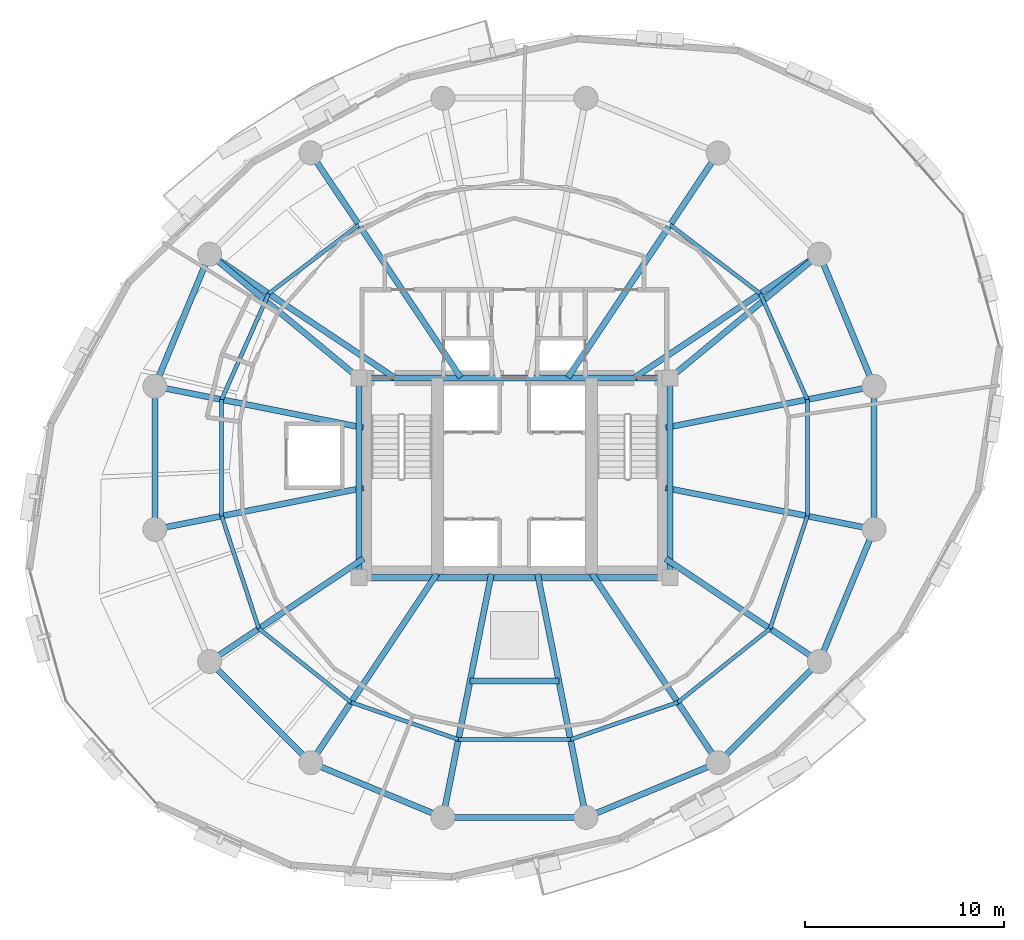
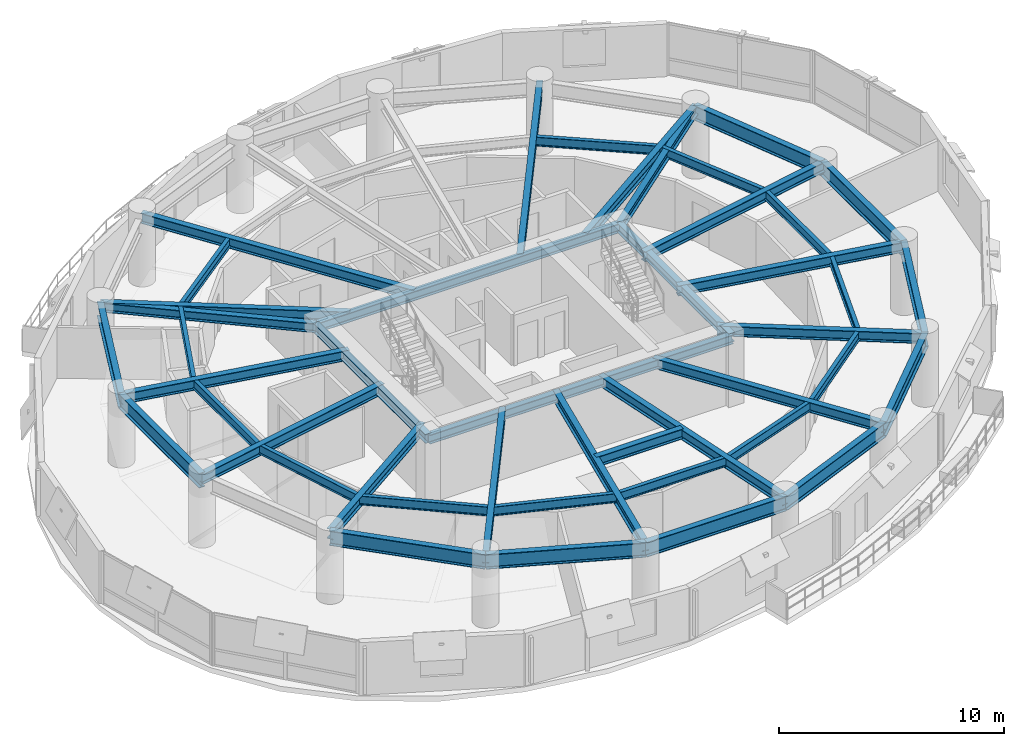
# One storey, part 3 of 12: 44 beams.
"""IFC4 building model written with IfcOpenShell, lengths in metres."""

from ifc_helpers import new_model, si_unit, direction, frame, origin, origin_2d, place, context, subcontext, project, spatial, i_section, extrude, material, material_profile, profile_set, type_object, element, save


model = new_model("IFC4")

# Units and contexts
model_context = context("Model", 3, precision=1e-05, world=origin(), true_north=direction((0.0, 1.0)))
body_context = subcontext(model_context, "Body", "Model", "MODEL_VIEW")
ifc_project = project(units=[si_unit("LENGTHUNIT", "METRE"), si_unit("AREAUNIT", "SQUARE_METRE"), si_unit("VOLUMEUNIT", "CUBIC_METRE"), si_unit("PLANEANGLEUNIT", "RADIAN"), si_unit("MASSUNIT", "GRAM", prefix="KILO"), si_unit("THERMODYNAMICTEMPERATUREUNIT", "KELVIN"), si_unit("POWERUNIT", "WATT")], contexts=[model_context])

# Site, building, storey
site_placement = place(None, origin())
site = spatial("IfcSite", under=ifc_project, at=site_placement, CompositionType="ELEMENT")
building_placement = place(site_placement, origin())
building = spatial("IfcBuilding", under=site, at=building_placement, Name="Ocrelia Relay Tower", CompositionType="ELEMENT")
storey_placement = place(building_placement, frame((0.0, 0.0, 153.800048828125)))
storey = spatial("IfcBuildingStorey", under=building, at=storey_placement, Name="L36", CompositionType="ELEMENT", Elevation=153.800048828125)

# Beams
ifc_material = material(Name="Steel S355", Category="steel")
ifc_material_profile_1 = material_profile(ifc_material, i_section(OverallWidth=0.300048828125, OverallDepth=0.5, WebThickness=0.014404296875, FlangeThickness=0.028076171875, FilletRadius=0.027099609375, at=origin_2d()), Name="HEB 500")
ifc_profile_set_1 = profile_set([ifc_material_profile_1], Name="Steel S355")
beam_type_1 = type_object("IfcBeamType", Name="BM-HEB500", PredefinedType="BEAM", material=ifc_profile_set_1)
for number, where, z_axis, x_axis, name in (
    (1, (26.199951171875, 20.0, 3.429931640625), (1.0, 0.0, 0.0), (0.0, 1.0, 0.0), "L36 Core Pilaster Tie Beam S"),
    (2, (26.199951171875, 30.0, 3.429931640625), (1.0, 0.0, 0.0), (0.0, 1.0, 0.0), "L36 Core Pilaster Tie Beam N"),
):
    element("IfcBeam", number, at=place(storey_placement, frame(where, z_axis=z_axis, x_axis=x_axis)), inside=storey, type_object=beam_type_1, Name=name, PredefinedType="BEAM", context=body_context, shape_type="SweptSolid", body=[
        extrude(i_section(OverallWidth=0.300048828125, OverallDepth=0.5, WebThickness=0.014404296875, FlangeThickness=0.028076171875, FilletRadius=0.027099609375, at=origin_2d()), origin(), (0.0, 0.0, 1.0), 15.60009765625),
    ])
for number, where, z_axis, x_axis, name in (
    (3, (26.199951171875, 20.0, 3.429931640625), (0.0, 1.0, 0.0), (-1.0, 0.0, 0.0), "L36 Core Pilaster Tie Beam W"),
    (4, (41.800048828125, 20.0, 3.429931640625), (0.0, 1.0, 0.0), (-1.0, 0.0, 0.0), "L36 Core Pilaster Tie Beam E"),
):
    element("IfcBeam", number, at=place(storey_placement, frame(where, z_axis=z_axis, x_axis=x_axis)), inside=storey, type_object=beam_type_1, Name=name, PredefinedType="BEAM", context=body_context, shape_type="SweptSolid", body=[
        extrude(i_section(OverallWidth=0.300048828125, OverallDepth=0.5, WebThickness=0.014404296875, FlangeThickness=0.028076171875, FilletRadius=0.027099609375, at=origin_2d()), origin(), (0.0, 0.0, 1.0), 10.0),
    ])
for number, where, z_axis, x_axis, name in (
    (5, (49.299072265625, 36.222412109375, 3.429931640625), (-0.769570862751, -0.638561420072, 0.0), (0.638561420072, -0.769570862751, 0.0), "L36 Core Pilaster Frame Tie Beam PT02"),
    (6, (18.700927734375, 36.222412109375, 3.429931640625), (0.769570862751, -0.638561420072, 0.0), (0.638561420072, 0.769570862751, 0.0), "L36 Core Pilaster Frame Tie Beam PT07"),
):
    element("IfcBeam", number, at=place(storey_placement, frame(where, z_axis=z_axis, x_axis=x_axis)), inside=storey, type_object=beam_type_1, Name=name, PredefinedType="BEAM", context=body_context, shape_type="SweptSolid", body=[
        extrude(i_section(OverallWidth=0.300048828125, OverallDepth=0.5, WebThickness=0.014404296875, FlangeThickness=0.028076171875, FilletRadius=0.027099609375, at=origin_2d()), origin(), (0.0, 0.0, 1.0), 9.744384765625),
    ])
ifc_material_profile_2 = material_profile(ifc_material, i_section(OverallWidth=0.300048828125, OverallDepth=0.550048828125, WebThickness=0.014892578125, FlangeThickness=0.029052734375, FilletRadius=0.027099609375, at=origin_2d()), Name="HEB 550")
ifc_profile_set_2 = profile_set([ifc_material_profile_2], Name="Steel S355")
beam_type_2 = type_object("IfcBeamType", Name="BM-HEB550", PredefinedType="BEAM", material=ifc_profile_set_2)
beam_1_placement = place(storey_placement, frame((52.04638671875, 29.589599609375, 3.405029296875), z_axis=(-0.980786914024, -0.195082109071, 0.0), x_axis=(0.195082109071, -0.980786914024, 0.0)))
element("IfcBeam", 7, at=beam_1_placement, inside=storey, type_object=beam_type_2, Name="L36 Radial Floor Girder R01", PredefinedType="BEAM", context=body_context, shape_type="SweptSolid", body=[
    extrude(i_section(OverallWidth=0.300048828125, OverallDepth=0.550048828125, WebThickness=0.014892578125, FlangeThickness=0.029052734375, FilletRadius=0.027099609375, at=origin_2d()), origin(), (0.0, 0.0, 1.0), 10.67138671875),
])
beam_2_placement = place(storey_placement, frame((49.299072265625, 36.222412109375, 3.405029296875), z_axis=(-0.83147699108, -0.555559189741, 0.0), x_axis=(0.555559189741, -0.83147699108, 0.0)))
element("IfcBeam", 8, at=beam_2_placement, inside=storey, type_object=beam_type_2, Name="L36 Radial Floor Girder R02", PredefinedType="BEAM", context=body_context, shape_type="SweptSolid", body=[
    extrude(i_section(OverallWidth=0.300048828125, OverallDepth=0.550048828125, WebThickness=0.014892578125, FlangeThickness=0.029052734375, FilletRadius=0.027099609375, at=origin_2d()), origin(), (0.0, 0.0, 1.0), 11.146240234375),
])
for number, where, z_axis, x_axis, name in (
    (9, (44.222412109375, 41.299072265625, 3.405029296875), (-0.555560399988, -0.83147618244, 0.0), (0.83147618244, -0.555560399988, 0.0), "L36 Radial Floor Girder R03"),
    (10, (23.777587890625, 41.299072265625, 3.405029296875), (0.555560399988, -0.83147618244, 0.0), (0.83147618244, 0.555560399988, 0.0), "L36 Radial Floor Girder R06"),
):
    element("IfcBeam", number, at=place(storey_placement, frame(where, z_axis=z_axis, x_axis=x_axis)), inside=storey, type_object=beam_type_2, Name=name, PredefinedType="BEAM", context=body_context, shape_type="SweptSolid", body=[
        extrude(i_section(OverallWidth=0.300048828125, OverallDepth=0.550048828125, WebThickness=0.014892578125, FlangeThickness=0.029052734375, FilletRadius=0.027099609375, at=origin_2d()), origin(), (0.0, 0.0, 1.0), 13.552978515625),
    ])
beam_3_placement = place(storey_placement, frame((18.700927734375, 36.222412109375, 3.405029296875), z_axis=(0.83147699108, -0.555559189741, 0.0), x_axis=(0.555559189741, 0.83147699108, 0.0)))
element("IfcBeam", 11, at=beam_3_placement, inside=storey, type_object=beam_type_2, Name="L36 Radial Floor Girder R07", PredefinedType="BEAM", context=body_context, shape_type="SweptSolid", body=[
    extrude(i_section(OverallWidth=0.300048828125, OverallDepth=0.550048828125, WebThickness=0.014892578125, FlangeThickness=0.029052734375, FilletRadius=0.027099609375, at=origin_2d()), origin(), (0.0, 0.0, 1.0), 11.146240234375),
])
for number, where, z_axis, x_axis, name in (
    (12, (15.95361328125, 29.589599609375, 3.405029296875), (0.980787592082, -0.195078700063, 0.0), (0.195078700063, 0.980787592082, 0.0), "L36 Radial Floor Girder R08"),
    (13, (15.95361328125, 22.410400390625, 3.405029296875), (0.980787592082, 0.195078700063, 0.0), (-0.195078700063, 0.980787592082, 0.0), "L36 Radial Floor Girder R09"),
):
    element("IfcBeam", number, at=place(storey_placement, frame(where, z_axis=z_axis, x_axis=x_axis)), inside=storey, type_object=beam_type_2, Name=name, PredefinedType="BEAM", context=body_context, shape_type="SweptSolid", body=[
        extrude(i_section(OverallWidth=0.300048828125, OverallDepth=0.550048828125, WebThickness=0.014892578125, FlangeThickness=0.029052734375, FilletRadius=0.027099609375, at=origin_2d()), origin(), (0.0, 0.0, 1.0), 10.681640625),
    ])
beam_4_placement = place(storey_placement, frame((18.700927734375, 15.777587890625, 3.405029296875), z_axis=(0.831472030531, 0.555566613868, 0.0), x_axis=(-0.555566613868, 0.831472030531, 0.0)))
element("IfcBeam", 14, at=beam_4_placement, inside=storey, type_object=beam_type_2, Name="L36 Radial Floor Girder R10", PredefinedType="BEAM", context=body_context, shape_type="SweptSolid", body=[
    extrude(i_section(OverallWidth=0.300048828125, OverallDepth=0.550048828125, WebThickness=0.014892578125, FlangeThickness=0.029052734375, FilletRadius=0.027099609375, at=origin_2d()), origin(), (0.0, 0.0, 1.0), 9.295654296875),
])
beam_5_placement = place(storey_placement, frame((23.777587890625, 10.700927734375, 3.405029296875), z_axis=(0.555565661158, 0.831472667105, 0.0), x_axis=(-0.831472667105, 0.555565661158, 0.0)))
element("IfcBeam", 15, at=beam_5_placement, inside=storey, type_object=beam_type_2, Name="L36 Radial Floor Girder R11", PredefinedType="BEAM", context=body_context, shape_type="SweptSolid", body=[
    extrude(i_section(OverallWidth=0.300048828125, OverallDepth=0.550048828125, WebThickness=0.014892578125, FlangeThickness=0.029052734375, FilletRadius=0.027099609375, at=origin_2d()), origin(), (0.0, 0.0, 1.0), 11.38818359375),
])
for number, where, z_axis, x_axis, name in (
    (16, (30.410400390625, 7.95361328125, 3.405029296875), (0.195086983979, 0.980785944374, 0.0), (-0.980785944374, 0.195086983979, 0.0), "L36 Radial Floor Girder R12"),
    (17, (37.589599609375, 7.95361328125, 3.405029296875), (-0.195086983979, 0.980785944374, 0.0), (-0.980785944374, -0.195086983979, 0.0), "L36 Radial Floor Girder R13"),
):
    element("IfcBeam", number, at=place(storey_placement, frame(where, z_axis=z_axis, x_axis=x_axis)), inside=storey, type_object=beam_type_2, Name=name, PredefinedType="BEAM", context=body_context, shape_type="SweptSolid", body=[
        extrude(i_section(OverallWidth=0.300048828125, OverallDepth=0.550048828125, WebThickness=0.014892578125, FlangeThickness=0.029052734375, FilletRadius=0.027099609375, at=origin_2d()), origin(), (0.0, 0.0, 1.0), 12.45556640625),
    ])
beam_6_placement = place(storey_placement, frame((44.222412109375, 10.700927734375, 3.405029296875), z_axis=(-0.555565661158, 0.831472667105, 0.0), x_axis=(-0.831472667105, -0.555565661158, 0.0)))
element("IfcBeam", 18, at=beam_6_placement, inside=storey, type_object=beam_type_2, Name="L36 Radial Floor Girder R14", PredefinedType="BEAM", context=body_context, shape_type="SweptSolid", body=[
    extrude(i_section(OverallWidth=0.300048828125, OverallDepth=0.550048828125, WebThickness=0.014892578125, FlangeThickness=0.029052734375, FilletRadius=0.027099609375, at=origin_2d()), origin(), (0.0, 0.0, 1.0), 11.38818359375),
])
beam_7_placement = place(storey_placement, frame((49.299072265625, 15.777587890625, 3.405029296875), z_axis=(-0.8314672312, 0.555573796575, 0.0), x_axis=(-0.555573796575, -0.8314672312, 0.0)))
element("IfcBeam", 19, at=beam_7_placement, inside=storey, type_object=beam_type_2, Name="L36 Radial Floor Girder R15", PredefinedType="BEAM", context=body_context, shape_type="SweptSolid", body=[
    extrude(i_section(OverallWidth=0.300048828125, OverallDepth=0.550048828125, WebThickness=0.014892578125, FlangeThickness=0.029052734375, FilletRadius=0.027099609375, at=origin_2d()), origin(), (0.0, 0.0, 1.0), 9.28369140625),
])
beam_8_placement = place(storey_placement, frame((52.04638671875, 22.410400390625, 3.405029296875), z_axis=(-0.980786914024, 0.195082109071, 0.0), x_axis=(-0.195082109071, -0.980786914024, 0.0)))
element("IfcBeam", 20, at=beam_8_placement, inside=storey, type_object=beam_type_2, Name="L36 Radial Floor Girder R16", PredefinedType="BEAM", context=body_context, shape_type="SweptSolid", body=[
    extrude(i_section(OverallWidth=0.300048828125, OverallDepth=0.550048828125, WebThickness=0.014892578125, FlangeThickness=0.029052734375, FilletRadius=0.027099609375, at=origin_2d()), origin(), (0.0, 0.0, 1.0), 10.67138671875),
])
beam_9_placement = place(storey_placement, frame((31.772216796875, 14.800048828125, 3.405029296875), z_axis=(1.0, 0.0, 0.0), x_axis=(0.0, 1.0, 0.0)))
element("IfcBeam", 21, at=beam_9_placement, inside=storey, type_object=beam_type_2, Name="L36 Atrium South Trimmer Beam", PredefinedType="BEAM", context=body_context, shape_type="SweptSolid", body=[
    extrude(i_section(OverallWidth=0.300048828125, OverallDepth=0.550048828125, WebThickness=0.014892578125, FlangeThickness=0.029052734375, FilletRadius=0.027099609375, at=origin_2d()), origin(), (0.0, 0.0, 1.0), 4.45556640625),
])
ifc_material_profile_3 = material_profile(ifc_material, i_section(OverallWidth=0.300048828125, OverallDepth=0.800048828125, WebThickness=0.017578125, FlangeThickness=0.032958984375, FilletRadius=0.030029296875, at=origin_2d()), Name="HEB 800")
ifc_profile_set_3 = profile_set([ifc_material_profile_3], Name="Steel S355")
beam_type_3 = type_object("IfcBeamType", Name="BM-HEB800", PredefinedType="BEAM", material=ifc_profile_set_3)
for number, where, z_axis, x_axis, name in (
    (22, (52.04638671875, 29.589599609375, 3.280029296875), (-0.382673155247, 0.923883789366, 0.0), (-0.923883789366, -0.382673155247, 0.0), "L36 Perimeter Spandrel Beam S01"),
    (23, (18.700927734375, 36.222412109375, 3.280029296875), (-0.382673155247, -0.923883789366, 0.0), (0.923883789366, -0.382673155247, 0.0), "L36 Perimeter Spandrel Beam S07"),
    (24, (15.95361328125, 29.589599609375, 3.280029296875), (0.0, -1.0, 0.0), (1.0, 0.0, 0.0), "L36 Perimeter Spandrel Beam S08"),
):
    element("IfcBeam", number, at=place(storey_placement, frame(where, z_axis=z_axis, x_axis=x_axis)), inside=storey, type_object=beam_type_3, Name=name, PredefinedType="BEAM", context=body_context, shape_type="SweptSolid", body=[
        extrude(i_section(OverallWidth=0.300048828125, OverallDepth=0.800048828125, WebThickness=0.017578125, FlangeThickness=0.032958984375, FilletRadius=0.030029296875, at=origin_2d()), origin(), (0.0, 0.0, 1.0), 7.17919921875),
    ])
beam_10_placement = place(storey_placement, frame((18.700927734375, 15.777587890625, 3.280029296875), z_axis=(0.707106781187, -0.707106781187, 0.0), x_axis=(0.707106781187, 0.707106781187, 0.0)))
element("IfcBeam", 25, at=beam_10_placement, inside=storey, type_object=beam_type_3, Name="L36 Perimeter Spandrel Beam S10", PredefinedType="BEAM", context=body_context, shape_type="SweptSolid", body=[
    extrude(i_section(OverallWidth=0.300048828125, OverallDepth=0.800048828125, WebThickness=0.017578125, FlangeThickness=0.032958984375, FilletRadius=0.030029296875, at=origin_2d()), origin(), (0.0, 0.0, 1.0), 7.179443359375),
])
for number, where, z_axis, x_axis, name in (
    (26, (23.777587890625, 10.700927734375, 3.280029296875), (0.923883789366, -0.382673155247, 0.0), (0.382673155247, 0.923883789366, 0.0), "L36 Perimeter Spandrel Beam S11"),
    (27, (30.410400390625, 7.95361328125, 3.280029296875), (1.0, 0.0, 0.0), (0.0, 1.0, 0.0), "L36 Perimeter Spandrel Beam S12"),
    (28, (37.589599609375, 7.95361328125, 3.280029296875), (0.923883789366, 0.382673155247, 0.0), (-0.382673155247, 0.923883789366, 0.0), "L36 Perimeter Spandrel Beam S13"),
):
    element("IfcBeam", number, at=place(storey_placement, frame(where, z_axis=z_axis, x_axis=x_axis)), inside=storey, type_object=beam_type_3, Name=name, PredefinedType="BEAM", context=body_context, shape_type="SweptSolid", body=[
        extrude(i_section(OverallWidth=0.300048828125, OverallDepth=0.800048828125, WebThickness=0.017578125, FlangeThickness=0.032958984375, FilletRadius=0.030029296875, at=origin_2d()), origin(), (0.0, 0.0, 1.0), 7.17919921875),
    ])
beam_11_placement = place(storey_placement, frame((44.222412109375, 10.700927734375, 3.280029296875), z_axis=(0.707106781187, 0.707106781187, 0.0), x_axis=(-0.707106781187, 0.707106781187, 0.0)))
element("IfcBeam", 29, at=beam_11_placement, inside=storey, type_object=beam_type_3, Name="L36 Perimeter Spandrel Beam S14", PredefinedType="BEAM", context=body_context, shape_type="SweptSolid", body=[
    extrude(i_section(OverallWidth=0.300048828125, OverallDepth=0.800048828125, WebThickness=0.017578125, FlangeThickness=0.032958984375, FilletRadius=0.030029296875, at=origin_2d()), origin(), (0.0, 0.0, 1.0), 7.179443359375),
])
for number, where, z_axis, x_axis, name in (
    (30, (49.299072265625, 15.777587890625, 3.280029296875), (0.382673155247, 0.923883789366, 0.0), (-0.923883789366, 0.382673155247, 0.0), "L36 Perimeter Spandrel Beam S15"),
    (31, (52.04638671875, 22.410400390625, 3.280029296875), (0.0, 1.0, 0.0), (-1.0, 0.0, 0.0), "L36 Perimeter Spandrel Beam S16"),
):
    element("IfcBeam", number, at=place(storey_placement, frame(where, z_axis=z_axis, x_axis=x_axis)), inside=storey, type_object=beam_type_3, Name=name, PredefinedType="BEAM", context=body_context, shape_type="SweptSolid", body=[
        extrude(i_section(OverallWidth=0.300048828125, OverallDepth=0.800048828125, WebThickness=0.017578125, FlangeThickness=0.032958984375, FilletRadius=0.030029296875, at=origin_2d()), origin(), (0.0, 0.0, 1.0), 7.17919921875),
    ])
ifc_material_profile_4 = material_profile(ifc_material, i_section(OverallWidth=0.199951171875, OverallDepth=0.5, WebThickness=0.01025390625, FlangeThickness=0.01611328125, FilletRadius=0.02099609375, at=origin_2d()), Name="IPE 500")
ifc_profile_set_4 = profile_set([ifc_material_profile_4], Name="Steel S355")
beam_type_4 = type_object("IfcBeamType", Name="BM-IPE500", PredefinedType="JOIST", material=ifc_profile_set_4)
beam_12_placement = place(storey_placement, frame((48.697265625, 28.923583984375, 3.429931640625), z_axis=(-0.406243565397, 0.913764830563, 0.0), x_axis=(-0.913764830563, -0.406243565397, 0.0)))
element("IfcBeam", 32, at=beam_12_placement, inside=storey, type_object=beam_type_4, Name="L36 Secondary Floor Joist J01", PredefinedType="JOIST", context=body_context, shape_type="SweptSolid", body=[
    extrude(i_section(OverallWidth=0.199951171875, OverallDepth=0.5, WebThickness=0.01025390625, FlangeThickness=0.01611328125, FilletRadius=0.02099609375, at=origin_2d()), origin(), (0.0, 0.0, 1.0), 5.819091796875),
])
for number, where, z_axis, x_axis, name in (
    (33, (46.333251953125, 34.240966796875, 3.429931640625), (-0.794762167004, 0.60692099807, 0.0), (-0.60692099807, -0.794762167004, 0.0), "L36 Secondary Floor Joist J02"),
    (34, (26.18701171875, 37.69287109375, 3.429931640625), (-0.794762167004, -0.60692099807, 0.0), (0.60692099807, -0.794762167004, 0.0), "L36 Secondary Floor Joist J06"),
):
    element("IfcBeam", number, at=place(storey_placement, frame(where, z_axis=z_axis, x_axis=x_axis)), inside=storey, type_object=beam_type_4, Name=name, PredefinedType="JOIST", context=body_context, shape_type="SweptSolid", body=[
        extrude(i_section(OverallWidth=0.199951171875, OverallDepth=0.5, WebThickness=0.01025390625, FlangeThickness=0.01611328125, FilletRadius=0.02099609375, at=origin_2d()), origin(), (0.0, 0.0, 1.0), 5.6875),
    ])
beam_13_placement = place(storey_placement, frame((21.666748046875, 34.240966796875, 3.429931640625), z_axis=(-0.405741333342, -0.913987948727, 0.0), x_axis=(0.913987948727, -0.405741333342, 0.0)))
element("IfcBeam", 35, at=beam_13_placement, inside=storey, type_object=beam_type_4, Name="L36 Secondary Floor Joist J07", PredefinedType="JOIST", context=body_context, shape_type="SweptSolid", body=[
    extrude(i_section(OverallWidth=0.199951171875, OverallDepth=0.5, WebThickness=0.01025390625, FlangeThickness=0.01611328125, FilletRadius=0.02099609375, at=origin_2d()), origin(), (0.0, 0.0, 1.0), 5.818603515625),
])
beam_14_placement = place(storey_placement, frame((19.305908203125, 28.9228515625, 3.429931640625), z_axis=(0.0, -1.0, 0.0), x_axis=(1.0, 0.0, 0.0)))
element("IfcBeam", 36, at=beam_14_placement, inside=storey, type_object=beam_type_4, Name="L36 Secondary Floor Joist J08", PredefinedType="JOIST", context=body_context, shape_type="SweptSolid", body=[
    extrude(i_section(OverallWidth=0.199951171875, OverallDepth=0.5, WebThickness=0.01025390625, FlangeThickness=0.01611328125, FilletRadius=0.02099609375, at=origin_2d()), origin(), (0.0, 0.0, 1.0), 5.845703125),
])
beam_15_placement = place(storey_placement, frame((19.305908203125, 23.0771484375, 3.429931640625), z_axis=(0.314121352003, -0.949382839647, 0.0), x_axis=(0.949382839647, 0.314121352003, 0.0)))
element("IfcBeam", 37, at=beam_15_placement, inside=storey, type_object=beam_type_4, Name="L36 Secondary Floor Joist J09", PredefinedType="JOIST", context=body_context, shape_type="SweptSolid", body=[
    extrude(i_section(OverallWidth=0.199951171875, OverallDepth=0.5, WebThickness=0.01025390625, FlangeThickness=0.01611328125, FilletRadius=0.02099609375, at=origin_2d()), origin(), (0.0, 0.0, 1.0), 5.947998046875),
])
beam_16_placement = place(storey_placement, frame((21.17431640625, 17.43017578125, 3.429931640625), z_axis=(0.781130070991, -0.62436833055, 0.0), x_axis=(0.62436833055, 0.781130070991, 0.0)))
element("IfcBeam", 38, at=beam_16_placement, inside=storey, type_object=beam_type_4, Name="L36 Secondary Floor Joist J10", PredefinedType="JOIST", context=body_context, shape_type="SweptSolid", body=[
    extrude(i_section(OverallWidth=0.199951171875, OverallDepth=0.5, WebThickness=0.01025390625, FlangeThickness=0.01611328125, FilletRadius=0.02099609375, at=origin_2d()), origin(), (0.0, 0.0, 1.0), 5.92431640625),
])
beam_17_placement = place(storey_placement, frame((25.802001953125, 13.731201171875, 3.429931640625), z_axis=(0.944767437111, -0.327741498401, 0.0), x_axis=(0.327741498401, 0.944767437111, 0.0)))
element("IfcBeam", 39, at=beam_17_placement, inside=storey, type_object=beam_type_4, Name="L36 Secondary Floor Joist J11", PredefinedType="JOIST", context=body_context, shape_type="SweptSolid", body=[
    extrude(i_section(OverallWidth=0.199951171875, OverallDepth=0.5, WebThickness=0.01025390625, FlangeThickness=0.01611328125, FilletRadius=0.02099609375, at=origin_2d()), origin(), (0.0, 0.0, 1.0), 5.700927734375),
])
beam_18_placement = place(storey_placement, frame((31.18798828125, 11.86279296875, 3.429931640625), z_axis=(1.0, 0.0, 0.0), x_axis=(0.0, 1.0, 0.0)))
element("IfcBeam", 40, at=beam_18_placement, inside=storey, type_object=beam_type_4, Name="L36 Secondary Floor Joist J12", PredefinedType="JOIST", context=body_context, shape_type="SweptSolid", body=[
    extrude(i_section(OverallWidth=0.199951171875, OverallDepth=0.5, WebThickness=0.01025390625, FlangeThickness=0.01611328125, FilletRadius=0.02099609375, at=origin_2d()), origin(), (0.0, 0.0, 1.0), 5.6240234375),
])
beam_19_placement = place(storey_placement, frame((36.81201171875, 11.86279296875, 3.429931640625), z_axis=(0.944767437111, 0.327741498401, 0.0), x_axis=(-0.327741498401, 0.944767437111, 0.0)))
element("IfcBeam", 41, at=beam_19_placement, inside=storey, type_object=beam_type_4, Name="L36 Secondary Floor Joist J13", PredefinedType="JOIST", context=body_context, shape_type="SweptSolid", body=[
    extrude(i_section(OverallWidth=0.199951171875, OverallDepth=0.5, WebThickness=0.01025390625, FlangeThickness=0.01611328125, FilletRadius=0.02099609375, at=origin_2d()), origin(), (0.0, 0.0, 1.0), 5.700927734375),
])
beam_20_placement = place(storey_placement, frame((42.197998046875, 13.731201171875, 3.429931640625), z_axis=(0.781519577804, 0.623880717372, 0.0), x_axis=(-0.623880717372, 0.781519577804, 0.0)))
element("IfcBeam", 42, at=beam_20_placement, inside=storey, type_object=beam_type_4, Name="L36 Secondary Floor Joist J14", PredefinedType="JOIST", context=body_context, shape_type="SweptSolid", body=[
    extrude(i_section(OverallWidth=0.199951171875, OverallDepth=0.5, WebThickness=0.01025390625, FlangeThickness=0.01611328125, FilletRadius=0.02099609375, at=origin_2d()), origin(), (0.0, 0.0, 1.0), 5.925537109375),
])
beam_21_placement = place(storey_placement, frame((46.828857421875, 17.427978515625, 3.429931640625), z_axis=(0.314047924314, 0.949407131443, 0.0), x_axis=(-0.949407131443, 0.314047924314, 0.0)))
element("IfcBeam", 43, at=beam_21_placement, inside=storey, type_object=beam_type_4, Name="L36 Secondary Floor Joist J15", PredefinedType="JOIST", context=body_context, shape_type="SweptSolid", body=[
    extrude(i_section(OverallWidth=0.199951171875, OverallDepth=0.5, WebThickness=0.01025390625, FlangeThickness=0.01611328125, FilletRadius=0.02099609375, at=origin_2d()), origin(), (0.0, 0.0, 1.0), 5.949462890625),
])
beam_22_placement = place(storey_placement, frame((48.697265625, 23.076416015625, 3.429931640625), z_axis=(0.0, 1.0, 0.0), x_axis=(-1.0, 0.0, 0.0)))
element("IfcBeam", 44, at=beam_22_placement, inside=storey, type_object=beam_type_4, Name="L36 Secondary Floor Joist J16", PredefinedType="JOIST", context=body_context, shape_type="SweptSolid", body=[
    extrude(i_section(OverallWidth=0.199951171875, OverallDepth=0.5, WebThickness=0.01025390625, FlangeThickness=0.01611328125, FilletRadius=0.02099609375, at=origin_2d()), origin(), (0.0, 0.0, 1.0), 5.84716796875),
])

save(model, "model.ifc")
